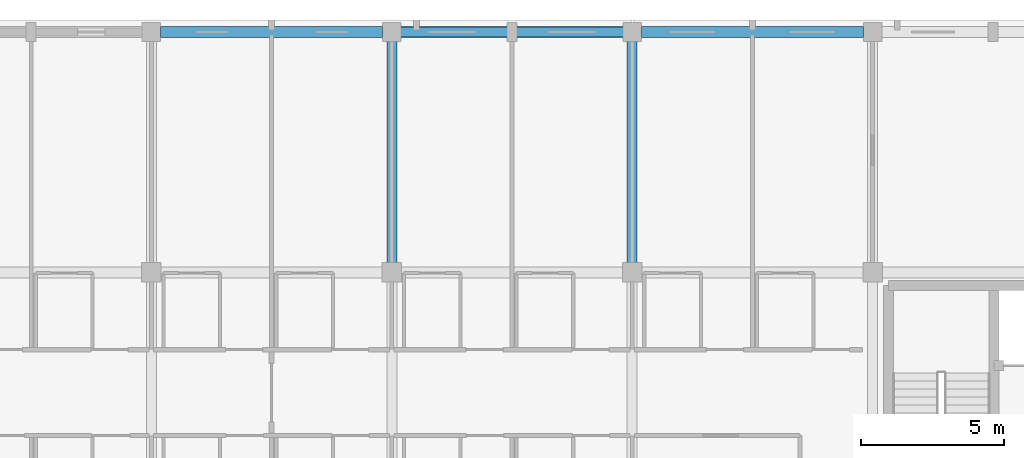
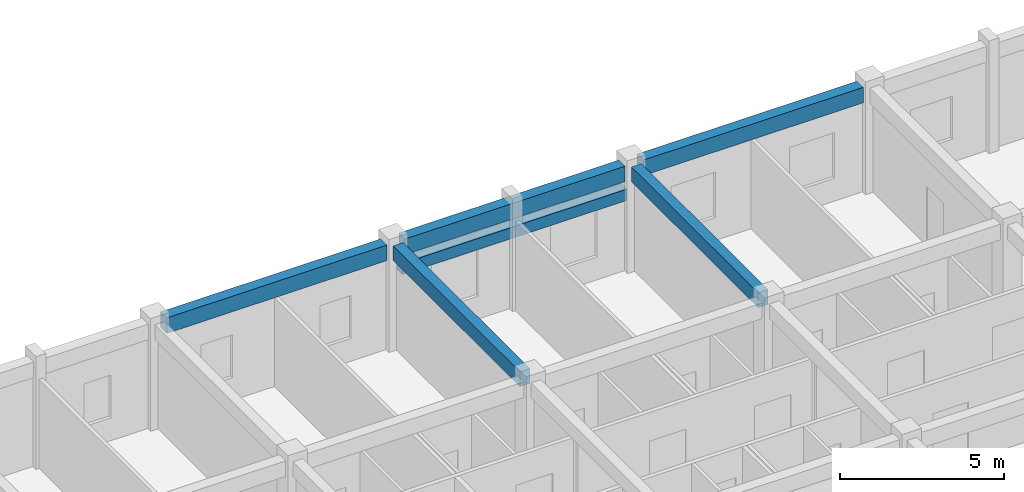
# One storey, part 44 of 90: 6 beams.
"""IFC4 building model written with IfcOpenShell, lengths in metres."""

from ifc_helpers import new_model, si_unit, direction, frame, origin, origin_2d, place, context, subcontext, project, spatial, rectangle, extrude, material, material_profile, profile_set, type_object, element, save


model = new_model("IFC4")

# Units and contexts
model_context = context("Model", 3, precision=1e-05, world=origin(), true_north=direction((0.0, 1.0)))
body_context = subcontext(model_context, "Body", "Model", "MODEL_VIEW")
ifc_project = project(units=[si_unit("LENGTHUNIT", "METRE"), si_unit("AREAUNIT", "SQUARE_METRE"), si_unit("VOLUMEUNIT", "CUBIC_METRE"), si_unit("PLANEANGLEUNIT", "RADIAN"), si_unit("MASSUNIT", "GRAM", prefix="KILO")], contexts=[model_context])

# Site, building, storey
site_placement = place(None, origin())
site = spatial("IfcSite", under=ifc_project, at=site_placement, CompositionType="ELEMENT")
building_placement = place(site_placement, origin())
building = spatial("IfcBuilding", under=site, at=building_placement, Name="Trelvath General Hospital", CompositionType="ELEMENT")
storey_placement = place(building_placement, frame((0.0, 0.0, 20.39990234375)))
storey = spatial("IfcBuildingStorey", under=building, at=storey_placement, Name="L05", CompositionType="ELEMENT", Elevation=20.39990234375)

# Beams
ifc_material_1 = material(Name="Concrete C35/45", Category="concrete")
ifc_material_profile_1 = material_profile(ifc_material_1, rectangle(XDim=0.35009765625, YDim=0.550048828125, at=origin_2d()), Name="RCB350x550")
ifc_profile_set_1 = profile_set([ifc_material_profile_1], Name="Concrete C35/45")
beam_type_1 = type_object("IfcBeamType", Name="Beam RC350x550", PredefinedType="BEAM", material=ifc_profile_set_1)
for number, where, z_axis, x_axis, name in (
    (1, (67.199951171875, 109.534912109375, 3.64501953125), (0.0, 1.0, 0.0), (-1.0, 0.0, 0.0), "Grid Beam BY-508N"),
    (2, (75.60009765625, 109.534912109375, 3.64501953125), (0.0, 1.0, 0.0), (-1.0, 0.0, 0.0), "Grid Beam BY-509N"),
):
    element("IfcBeam", number, at=place(storey_placement, frame(where, z_axis=z_axis, x_axis=x_axis)), inside=storey, type_object=beam_type_1, Name=name, PredefinedType="BEAM", context=body_context, shape_type="SweptSolid", body=[
        extrude(rectangle(XDim=0.35009765625, YDim=0.550048828125, at=origin_2d()), origin(), (0.0, 0.0, 1.0), 7.7451171875),
    ])
ifc_material_2 = material(Name="Concrete C35/45", Category="concrete")
ifc_material_profile_2 = material_profile(ifc_material_2, rectangle(XDim=0.3798828125, YDim=0.580078125, at=origin_2d()), Name="RCB380x580")
ifc_profile_set_2 = profile_set([ifc_material_profile_2], Name="Concrete C35/45")
beam_type_2 = type_object("IfcBeamType", Name="Beam RC380x580", PredefinedType="BEAM", material=ifc_profile_set_2)
beam_1_placement = place(storey_placement, frame((59.1201171875, 117.60009765625, 3.630126953125), z_axis=(1.0, 0.0, 0.0), x_axis=(0.0, 1.0, 0.0)))
element("IfcBeam", 3, at=beam_1_placement, inside=storey, type_object=beam_type_2, Name="Grid Beam BX-507O", PredefinedType="BEAM", context=body_context, shape_type="SweptSolid", body=[
    extrude(rectangle(XDim=0.3798828125, YDim=0.580078125, at=origin_2d()), origin(), (0.0, 0.0, 1.0), 7.759765625),
])
for number, where, z_axis, x_axis, name in (
    (4, (67.52001953125, 117.60009765625, 3.630126953125), (1.0, 0.0, 0.0), (0.0, 1.0, 0.0), "Grid Beam BX-508O"),
    (5, (75.919921875, 117.60009765625, 3.630126953125), (1.0, 0.0, 0.0), (0.0, 1.0, 0.0), "Grid Beam BX-509O"),
):
    element("IfcBeam", number, at=place(storey_placement, frame(where, z_axis=z_axis, x_axis=x_axis)), inside=storey, type_object=beam_type_2, Name=name, PredefinedType="BEAM", context=body_context, shape_type="SweptSolid", body=[
        extrude(rectangle(XDim=0.3798828125, YDim=0.580078125, at=origin_2d()), origin(), (0.0, 0.0, 1.0), 7.760009765625),
    ])
ifc_material_3 = material(Name="Precast concrete C40/50", Category="concrete")
ifc_material_profile_3 = material_profile(ifc_material_3, rectangle(XDim=0.35009765625, YDim=0.419921875, at=origin_2d()), Name="PCL350x420")
ifc_profile_set_3 = profile_set([ifc_material_profile_3], Name="Precast concrete C40/50")
beam_type_3 = type_object("IfcBeamType", Name="Lintel PC350x420", PredefinedType="LINTEL", material=ifc_profile_set_3)
beam_2_placement = place(storey_placement, frame((67.43994140625, 117.60009765625, 2.820068359375), z_axis=(1.0, 0.0, 0.0), x_axis=(0.0, 1.0, 0.0)))
element("IfcBeam", 6, at=beam_2_placement, inside=storey, type_object=beam_type_3, Name="Precast Window Brow Lintel L05-515", PredefinedType="LINTEL", context=body_context, shape_type="SweptSolid", body=[
    extrude(rectangle(XDim=0.35009765625, YDim=0.419921875, at=origin_2d()), origin(), (0.0, 0.0, 1.0), 7.920166015625),
])

save(model, "model.ifc")
